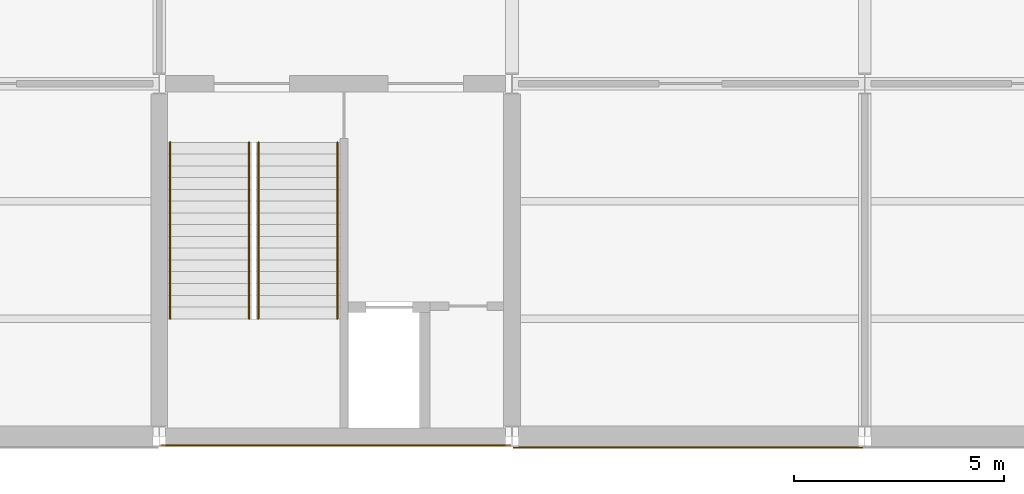
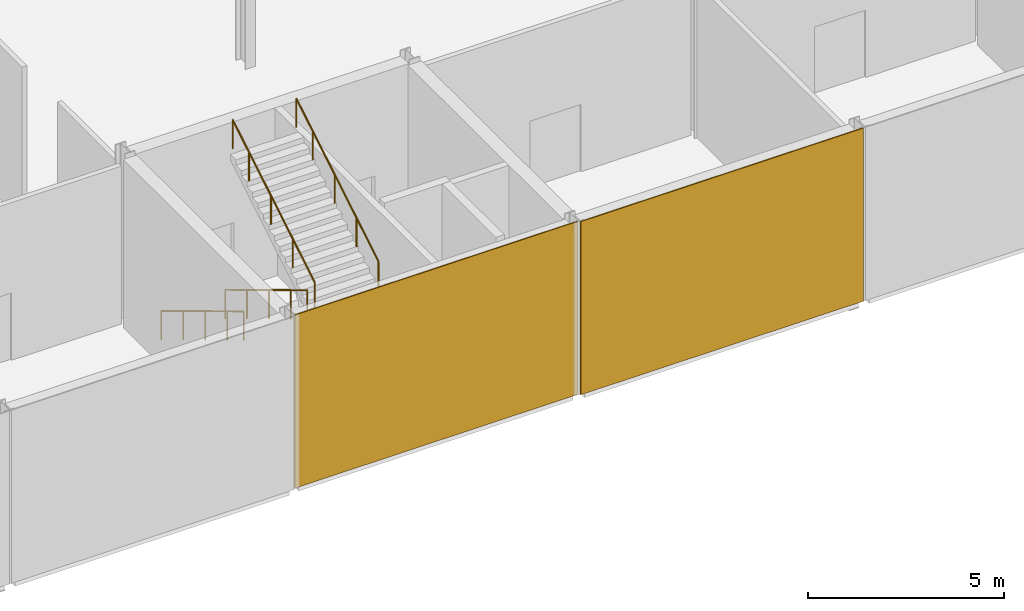
# One storey, part 57 of 64: 4 railings, 2 coverings.
"""IFC4 building model written with IfcOpenShell, lengths in metres."""

from ifc_helpers import new_model, si_unit, direction, frame, origin, origin_2d, place, context, subcontext, project, spatial, rectangle, circle, extrude, material, layer, layer_set, type_object, element, save


model = new_model("IFC4")

# Units and contexts
model_context = context("Model", 3, precision=1e-05, world=origin(), true_north=direction((0.0, 1.0)))
body_context = subcontext(model_context, "Body", "Model", "MODEL_VIEW")
ifc_project = project(units=[si_unit("LENGTHUNIT", "METRE"), si_unit("AREAUNIT", "SQUARE_METRE"), si_unit("VOLUMEUNIT", "CUBIC_METRE"), si_unit("PLANEANGLEUNIT", "RADIAN"), si_unit("MASSUNIT", "GRAM", prefix="KILO")], contexts=[model_context])

# Site, building, storey
site_placement = place(None, origin())
site = spatial("IfcSite", under=ifc_project, at=site_placement, CompositionType="ELEMENT")
building_placement = place(site_placement, origin())
building = spatial("IfcBuilding", under=site, at=building_placement, Name="Galleria Vessillo Department Store", CompositionType="ELEMENT")
storey_placement = place(building_placement, frame((0.0, 0.0, 6.0)))
storey = spatial("IfcBuildingStorey", under=building, at=storey_placement, Name="L01", CompositionType="ELEMENT", Elevation=6.0)

# Coverings
ifc_material_1 = material(Name="Lime plaster (intonaco) ochre")
ifc_layer = layer(ifc_material_1, 0.030029296875)
ifc_layer_set = layer_set([ifc_layer], Name="Lime plaster (intonaco) ochre")
covering_type = type_object("IfcCoveringType", Name="Lime plaster render 30 mm", PredefinedType="CLADDING", material=ifc_layer_set)
covering_1_placement = place(storey_placement, frame((79.800048828125, -0.215087890625, 0.0), z_axis=(0.0, 0.0, 1.0), x_axis=(1.0, 0.0, 0.0)))
element("IfcCovering", 1, at=covering_1_placement, inside=storey, type_object=covering_type, Name="Wall cladding S-CW-PC-SE-PARTY-L01", PredefinedType="CLADDING", context=body_context, shape_type="SweptSolid", body=[
    extrude(rectangle(XDim=8.33984375, YDim=0.030029296875, at=origin_2d()), origin(), (0.0, 0.0, 1.0), 5.39990234375),
])
covering_2_placement = place(storey_placement, frame((88.199951171875, -0.264892578125, 0.0), z_axis=(0.0, 0.0, 1.0), x_axis=(1.0, 0.0, 0.0)))
element("IfcCovering", 2, at=covering_2_placement, inside=storey, type_object=covering_type, Name="Wall cladding S-PS-L01-07", PredefinedType="CLADDING", context=body_context, shape_type="SweptSolid", body=[
    extrude(rectangle(XDim=8.340087890625, YDim=0.030029296875, at=origin_2d()), origin(), (0.0, 0.0, 1.0), 5.39990234375),
])

# Railings
ifc_material_2 = material(Name="Stainless steel tube", Category="steel")
railing_type = type_object("IfcRailingType", Name="Stair handrail steel tube 48 mm", PredefinedType="HANDRAIL", material=ifc_material_2)
for number, where, name in (
    (3, (77.739990234375, 7.0, 0.168701171875), "Handrail ST5 L01 flight 1A"),
    (4, (75.860107421875, 7.0, 0.168701171875), "Handrail ST5 L01 flight 1B"),
):
    element("IfcRailing", number, at=place(storey_placement, frame(where)), inside=storey, type_object=railing_type, Name=name, PredefinedType="HANDRAIL", context=body_context, shape_type="SweptSolid", body=[
        extrude(circle(Radius=0.02392578125, at=origin_2d()), frame((0.0, 0.0, 0.89599609375), z_axis=(0.0, -0.856486514401, 0.516169401116), x_axis=(1.0, 0.0, 0.0)), (0.0, 0.0, 1.0), 1.307861328125),
        extrude(circle(Radius=0.02392578125, at=origin_2d()), frame((0.0, -1.1201171875, 1.57080078125), z_axis=(0.0, -0.856436765236, 0.516251941548), x_axis=(1.0, 0.0, 0.0)), (0.0, 0.0, 1.0), 1.3076171875),
        extrude(circle(Radius=0.02392578125, at=origin_2d()), frame((0.0, -2.239990234375, 2.24609375), z_axis=(0.0, -0.856486514401, 0.516169401116), x_axis=(1.0, 0.0, 0.0)), (0.0, 0.0, 1.0), 1.307861328125),
        extrude(circle(Radius=0.02392578125, at=origin_2d()), frame((0.0, -3.360107421875, 2.9208984375), z_axis=(0.0, -0.856502732318, 0.516142489563), x_axis=(1.0, 0.0, 0.0)), (0.0, 0.0, 1.0), 0.98046875),
        extrude(circle(Radius=0.02099609375, at=origin_2d()), origin(), (0.0, 0.0, 1.0), 0.871826171875),
        extrude(circle(Radius=0.02099609375, at=origin_2d()), frame((0.0, -1.1201171875, 0.675048828125)), (0.0, 0.0, 1.0), 0.871826171875),
        extrude(circle(Radius=0.02099609375, at=origin_2d()), frame((0.0, -2.239990234375, 1.35009765625)), (0.0, 0.0, 1.0), 0.871826171875),
        extrude(circle(Radius=0.02099609375, at=origin_2d()), frame((0.0, -3.360107421875, 2.025146484375)), (0.0, 0.0, 1.0), 0.871826171875),
        extrude(circle(Radius=0.02099609375, at=origin_2d()), frame((0.0, -4.199951171875, 2.53125)), (0.0, 0.0, 1.0), 0.871826171875),
    ])
for number, where, name in (
    (5, (77.9599609375, 2.800048828125, 2.86865234375), "Handrail ST5 L01 flight 2A"),
    (6, (79.83984375, 2.800048828125, 2.86865234375), "Handrail ST5 L01 flight 2B"),
):
    element("IfcRailing", number, at=place(storey_placement, frame(where)), inside=storey, type_object=railing_type, Name=name, PredefinedType="HANDRAIL", context=body_context, shape_type="SweptSolid", body=[
        extrude(circle(Radius=0.02392578125, at=origin_2d()), frame((0.0, 0.0, 0.89599609375), z_axis=(0.0, 0.856486514401, 0.516169401116), x_axis=(-1.0, 0.0, 0.0)), (0.0, 0.0, 1.0), 1.307861328125),
        extrude(circle(Radius=0.02392578125, at=origin_2d()), frame((0.0, 1.1201171875, 1.57080078125), z_axis=(0.0, 0.856436765236, 0.516251941548), x_axis=(-1.0, 0.0, 0.0)), (0.0, 0.0, 1.0), 1.3076171875),
        extrude(circle(Radius=0.02392578125, at=origin_2d()), frame((0.0, 2.239990234375, 2.24609375), z_axis=(0.0, 0.856486514401, 0.516169401116), x_axis=(-1.0, 0.0, 0.0)), (0.0, 0.0, 1.0), 1.307861328125),
        extrude(circle(Radius=0.02392578125, at=origin_2d()), frame((0.0, 3.360107421875, 2.9208984375), z_axis=(0.0, 0.856502732318, 0.516142489563), x_axis=(-1.0, 0.0, 0.0)), (0.0, 0.0, 1.0), 0.98046875),
        extrude(circle(Radius=0.02099609375, at=origin_2d()), origin(), (0.0, 0.0, 1.0), 0.871826171875),
        extrude(circle(Radius=0.02099609375, at=origin_2d()), frame((0.0, 1.1201171875, 0.675048828125)), (0.0, 0.0, 1.0), 0.871826171875),
        extrude(circle(Radius=0.02099609375, at=origin_2d()), frame((0.0, 2.239990234375, 1.35009765625)), (0.0, 0.0, 1.0), 0.871826171875),
        extrude(circle(Radius=0.02099609375, at=origin_2d()), frame((0.0, 3.360107421875, 2.025146484375)), (0.0, 0.0, 1.0), 0.871826171875),
        extrude(circle(Radius=0.02099609375, at=origin_2d()), frame((0.0, 4.199951171875, 2.53125)), (0.0, 0.0, 1.0), 0.871826171875),
    ])

save(model, "model.ifc")
